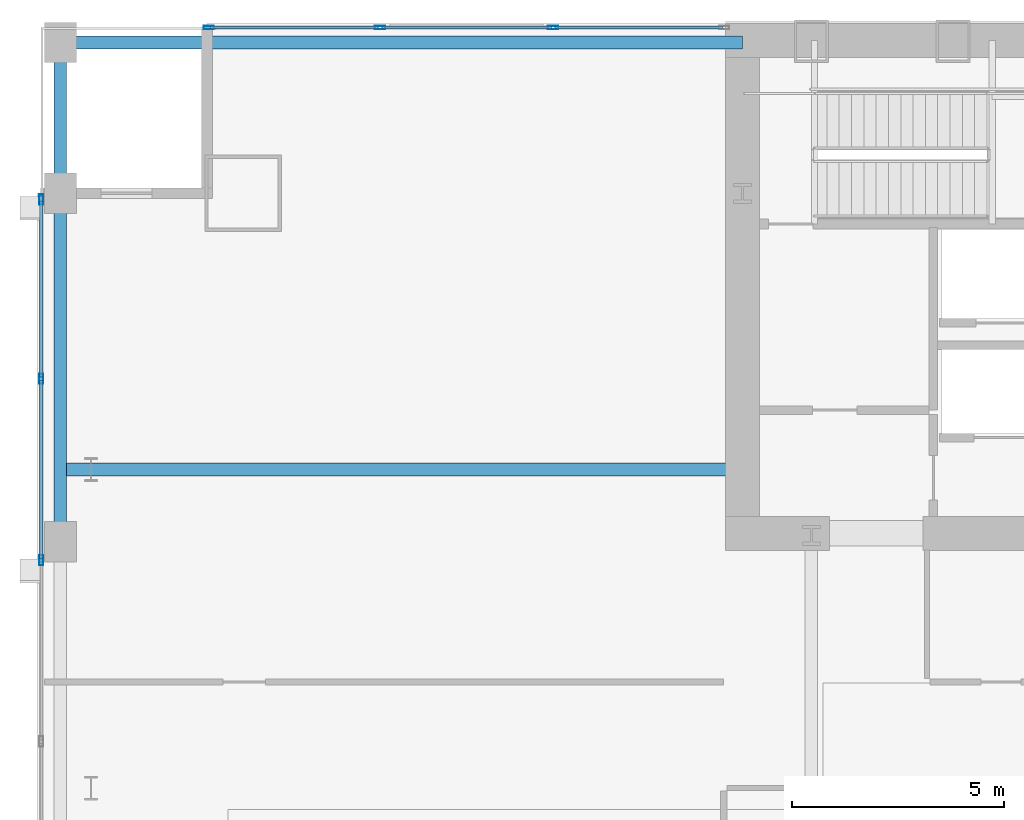
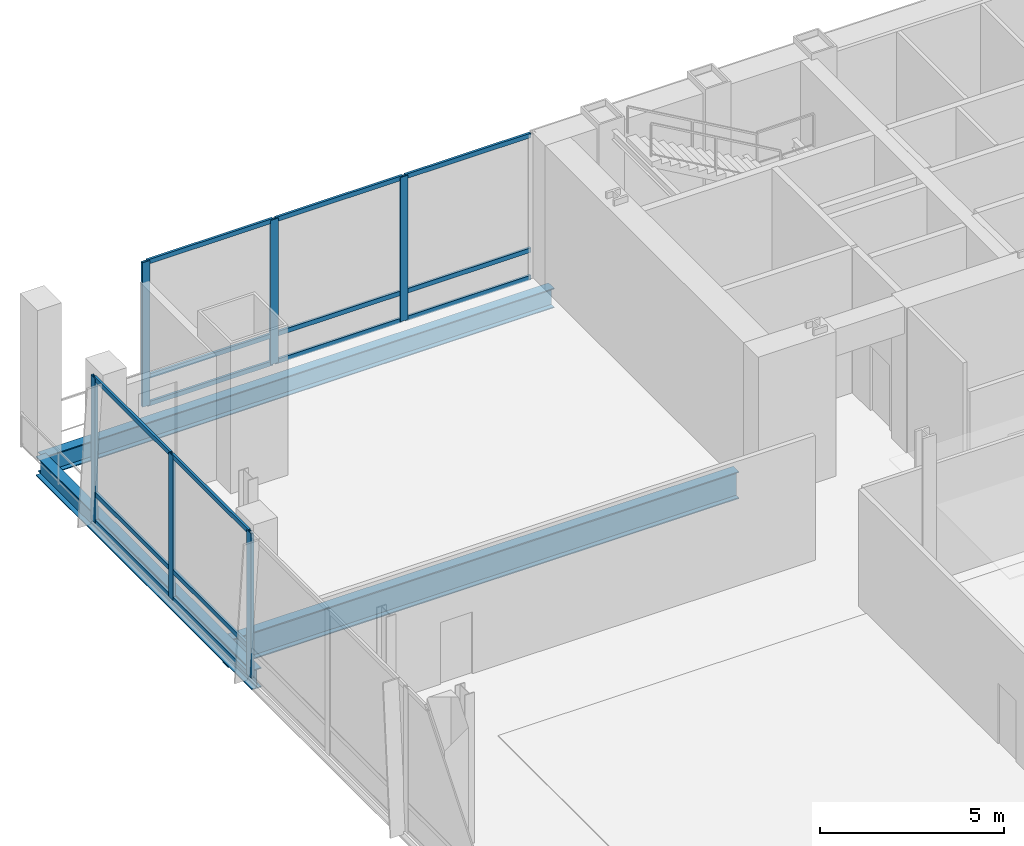
# One storey, part 10 of 25: 21 members, 3 beams, 2 elements without a shape of their own.
"""IFC4 building model written with IfcOpenShell, lengths in metres."""

from ifc_helpers import new_model, si_unit, direction, frame, origin, origin_2d, place, context, subcontext, project, spatial, hollow_rectangle, i_section, extrude, material, material_profile, profile_set, type_object, element, aggregate, save


model = new_model("IFC4")

# Units and contexts
model_context = context("Model", 3, precision=1e-05, world=origin(), true_north=direction((0.0, 1.0)))
body_context = subcontext(model_context, "Body", "Model", "MODEL_VIEW")
ifc_project = project(units=[si_unit("LENGTHUNIT", "METRE"), si_unit("AREAUNIT", "SQUARE_METRE"), si_unit("VOLUMEUNIT", "CUBIC_METRE"), si_unit("PLANEANGLEUNIT", "RADIAN"), si_unit("MASSUNIT", "GRAM", prefix="KILO")], contexts=[model_context])

# Site, building, storey
site_placement = place(None, origin())
site = spatial("IfcSite", under=ifc_project, at=site_placement, CompositionType="ELEMENT")
building_placement = place(site_placement, origin())
building = spatial("IfcBuilding", under=site, at=building_placement, Name="Khoronbel Lancet Exchange", CompositionType="ELEMENT")
storey_placement = place(building_placement, frame((0.0, 0.0, 10.39990234375)))
storey = spatial("IfcBuildingStorey", under=building, at=storey_placement, Name="L02", CompositionType="ELEMENT", Elevation=10.39990234375)

# Beams
ifc_material_1 = material(Name="Steel S355", Category="steel")
ifc_material_profile_1 = material_profile(ifc_material_1, i_section(OverallWidth=0.300048828125, OverallDepth=0.89990234375, WebThickness=0.0185546875, FlangeThickness=0.034912109375, at=origin_2d()), Name="HEB 900")
ifc_profile_set_1 = profile_set([ifc_material_profile_1], Name="Steel S355")
beam_type_1 = type_object("IfcBeamType", Name="BM-BG1", PredefinedType="BEAM", material=ifc_profile_set_1)
beam_1_placement = place(storey_placement, frame((0.550048828125, 43.199951171875, -0.64990234375), z_axis=(1.0, 0.0, 0.0), x_axis=(0.0, 1.0, 0.0)))
element("IfcBeam", 1, at=beam_1_placement, inside=storey, type_object=beam_type_1, Name="Level L02 west lens tie girder LG3W", PredefinedType="BEAM", context=body_context, shape_type="SweptSolid", body=[
    extrude(i_section(OverallWidth=0.300048828125, OverallDepth=0.89990234375, WebThickness=0.0185546875, FlangeThickness=0.034912109375, at=origin_2d()), origin(), (0.0, 0.0, 1.0), 16.050048828125),
])
ifc_material_profile_2 = material_profile(ifc_material_1, i_section(OverallWidth=0.300048828125, OverallDepth=0.64990234375, WebThickness=0.01611328125, FlangeThickness=0.031005859375, at=origin_2d()), Name="HEB 650")
ifc_profile_set_2 = profile_set([ifc_material_profile_2], Name="Steel S355")
beam_type_2 = type_object("IfcBeamType", Name="BM-BSP1", PredefinedType="SPANDREL", material=ifc_profile_set_2)
beam_2_placement = place(storey_placement, frame((16.60009765625, 53.25, -0.52490234375), z_axis=(-1.0, 0.0, 0.0), x_axis=(0.0, -1.0, 0.0)))
element("IfcBeam", 2, at=beam_2_placement, inside=storey, type_object=beam_type_2, Name="Level L02 perimeter spandrel beam SP14", PredefinedType="SPANDREL", context=body_context, shape_type="SweptSolid", body=[
    extrude(i_section(OverallWidth=0.300048828125, OverallDepth=0.64990234375, WebThickness=0.01611328125, FlangeThickness=0.031005859375, at=origin_2d()), origin(), (0.0, 0.0, 1.0), 16.050048828125),
])
beam_3_placement = place(storey_placement, frame((0.550048828125, 53.25, -0.52490234375), z_axis=(0.0, -1.0, 0.0), x_axis=(1.0, 0.0, 0.0)))
element("IfcBeam", 3, at=beam_3_placement, inside=storey, type_object=beam_type_2, Name="Level L02 perimeter spandrel beam SP15", PredefinedType="SPANDREL", context=body_context, shape_type="SweptSolid", body=[
    extrude(i_section(OverallWidth=0.300048828125, OverallDepth=0.64990234375, WebThickness=0.01611328125, FlangeThickness=0.031005859375, at=origin_2d()), origin(), (0.0, 0.0, 1.0), 11.75),
])

# Curtain wall, members
ifc_material_2 = material(Name="Low-E Solar Control Insulating Glass", Category="glass")
curtain_wall_type = type_object("IfcCurtainWallType", Name="CW-5", PredefinedType="NOTDEFINED", material=ifc_material_2)
curtain_wall_1_placement = place(storey_placement, origin())
curtain_wall_1 = element("IfcCurtainWall", 4, at=curtain_wall_1_placement, inside=storey, type_object=curtain_wall_type, Name="Unitised curtain wall CW-L02-WEST", PredefinedType="NOTDEFINED")
ifc_material_3 = material(Name="Bronze-Anodised Aluminium 6063-T6", Category="aluminium")
ifc_material_profile_3 = material_profile(ifc_material_3, hollow_rectangle(XDim=0.0849609375, YDim=0.239990234375, WallThickness=0.006103515625, at=origin_2d()), Name="ALU MULLION 85x240")
ifc_profile_set_3 = profile_set([ifc_material_profile_3], Name="Bronze-Anodised Aluminium 6063-T6")
member_type_1 = type_object("IfcMemberType", Name="MEM-CWM1", PredefinedType="MULLION", material=ifc_profile_set_3)
member_1_placement = place(storey_placement, frame((0.10009765625, 49.5576171875, 0.0), z_axis=(0.0, 0.0, 1.0), x_axis=(1.0, 0.0, 0.0)))
member_1 = element("IfcMember", 5, at=member_1_placement, type_object=member_type_1, Name="CW5 mullion 1", PredefinedType="MULLION", context=body_context, shape_type="SweptSolid", body=[
    extrude(hollow_rectangle(XDim=0.0849609375, YDim=0.239990234375, WallThickness=0.006103515625, at=origin_2d()), origin(), (0.0, 0.0, 1.0), 4.800048828125),
])
member_2_placement = place(storey_placement, frame((0.10009765625, 45.333251953125, 0.0), z_axis=(0.0, 0.0, 1.0), x_axis=(1.0, 0.0, 0.0)))
member_2 = element("IfcMember", 6, at=member_2_placement, type_object=member_type_1, Name="CW5 mullion 2", PredefinedType="MULLION", context=body_context, shape_type="SweptSolid", body=[
    extrude(hollow_rectangle(XDim=0.0849609375, YDim=0.239990234375, WallThickness=0.006103515625, at=origin_2d()), origin(), (0.0, 0.0, 1.0), 4.800048828125),
])
member_3_placement = place(storey_placement, frame((0.10009765625, 41.066650390625, 0.0), z_axis=(0.0, 0.0, 1.0), x_axis=(1.0, 0.0, 0.0)))
member_3 = element("IfcMember", 7, at=member_3_placement, type_object=member_type_1, Name="CW5 mullion 3", PredefinedType="MULLION", context=body_context, shape_type="SweptSolid", body=[
    extrude(hollow_rectangle(XDim=0.0849609375, YDim=0.239990234375, WallThickness=0.006103515625, at=origin_2d()), origin(), (0.0, 0.0, 1.0), 4.800048828125),
])

curtain_wall_2_placement = place(storey_placement, origin())
curtain_wall_2 = element("IfcCurtainWall", 8, at=curtain_wall_2_placement, inside=storey, type_object=curtain_wall_type, Name="Unitised curtain wall CW-L02-NW", PredefinedType="NOTDEFINED")
member_4_placement = place(storey_placement, frame((4.04248046875, 53.60009765625, 0.0), z_axis=(0.0, 0.0, 1.0), x_axis=(0.0, 1.0, 0.0)))
member_4 = element("IfcMember", 9, at=member_4_placement, type_object=member_type_1, Name="CW5 mullion 1", PredefinedType="MULLION", context=body_context, shape_type="SweptSolid", body=[
    extrude(hollow_rectangle(XDim=0.0849609375, YDim=0.239990234375, WallThickness=0.006103515625, at=origin_2d()), origin(), (0.0, 0.0, 1.0), 4.800048828125),
])
member_5_placement = place(storey_placement, frame((8.0732421875, 53.60009765625, 0.0), z_axis=(0.0, 0.0, 1.0), x_axis=(0.0, 1.0, 0.0)))
member_5 = element("IfcMember", 10, at=member_5_placement, type_object=member_type_1, Name="CW5 mullion 2", PredefinedType="MULLION", context=body_context, shape_type="SweptSolid", body=[
    extrude(hollow_rectangle(XDim=0.0849609375, YDim=0.239990234375, WallThickness=0.006103515625, at=origin_2d()), origin(), (0.0, 0.0, 1.0), 4.800048828125),
])
member_6_placement = place(storey_placement, frame((12.146728515625, 53.60009765625, 0.0), z_axis=(0.0, 0.0, 1.0), x_axis=(0.0, 1.0, 0.0)))
member_6 = element("IfcMember", 11, at=member_6_placement, type_object=member_type_1, Name="CW5 mullion 3", PredefinedType="MULLION", context=body_context, shape_type="SweptSolid", body=[
    extrude(hollow_rectangle(XDim=0.0849609375, YDim=0.239990234375, WallThickness=0.006103515625, at=origin_2d()), origin(), (0.0, 0.0, 1.0), 4.800048828125),
])

# Member
ifc_material_profile_4 = material_profile(ifc_material_3, hollow_rectangle(XDim=0.074951171875, YDim=0.14990234375, WallThickness=0.00439453125, at=origin_2d()), Name="ALU TRANSOM 75x150")
ifc_profile_set_4 = profile_set([ifc_material_profile_4], Name="Bronze-Anodised Aluminium 6063-T6")
member_type_2 = type_object("IfcMemberType", Name="MEM-CWT2", PredefinedType="USERDEFINED", material=ifc_profile_set_4)
member_7_placement = place(storey_placement, frame((0.10009765625, 49.514892578125, 0.03759765625), z_axis=(0.0, -1.0, 0.0), x_axis=(1.0, 0.0, 0.0)))
member_7 = element("IfcMember", 12, at=member_7_placement, type_object=member_type_2, Name="CW5 transom 1.1", ObjectType="TRANSOM", PredefinedType="USERDEFINED", context=body_context, shape_type="SweptSolid", body=[
    extrude(hollow_rectangle(XDim=0.074951171875, YDim=0.14990234375, WallThickness=0.00439453125, at=origin_2d()), origin(), (0.0, 0.0, 1.0), 4.13916015625),
])

member_8_placement = place(storey_placement, frame((0.10009765625, 49.514892578125, 0.9501953125), z_axis=(0.0, -1.0, 0.0), x_axis=(1.0, 0.0, 0.0)))
member_8 = element("IfcMember", 13, at=member_8_placement, type_object=member_type_2, Name="CW5 transom 1.2", ObjectType="TRANSOM", PredefinedType="USERDEFINED", context=body_context, shape_type="SweptSolid", body=[
    extrude(hollow_rectangle(XDim=0.074951171875, YDim=0.14990234375, WallThickness=0.00439453125, at=origin_2d()), origin(), (0.0, 0.0, 1.0), 4.13916015625),
])

member_9_placement = place(storey_placement, frame((0.10009765625, 49.514892578125, 4.7626953125), z_axis=(0.0, -1.0, 0.0), x_axis=(1.0, 0.0, 0.0)))
member_9 = element("IfcMember", 14, at=member_9_placement, type_object=member_type_2, Name="CW5 transom 1.3", ObjectType="TRANSOM", PredefinedType="USERDEFINED", context=body_context, shape_type="SweptSolid", body=[
    extrude(hollow_rectangle(XDim=0.074951171875, YDim=0.14990234375, WallThickness=0.00439453125, at=origin_2d()), origin(), (0.0, 0.0, 1.0), 4.13916015625),
])

member_10_placement = place(storey_placement, frame((0.10009765625, 45.290771484375, 0.03759765625), z_axis=(0.0, -1.0, 0.0), x_axis=(1.0, 0.0, 0.0)))
member_10 = element("IfcMember", 15, at=member_10_placement, type_object=member_type_2, Name="CW5 transom 2.1", ObjectType="TRANSOM", PredefinedType="USERDEFINED", context=body_context, shape_type="SweptSolid", body=[
    extrude(hollow_rectangle(XDim=0.074951171875, YDim=0.14990234375, WallThickness=0.00439453125, at=origin_2d()), origin(), (0.0, 0.0, 1.0), 4.181640625),
])

member_11_placement = place(storey_placement, frame((0.10009765625, 45.290771484375, 0.9501953125), z_axis=(0.0, -1.0, 0.0), x_axis=(1.0, 0.0, 0.0)))
member_11 = element("IfcMember", 16, at=member_11_placement, type_object=member_type_2, Name="CW5 transom 2.2", ObjectType="TRANSOM", PredefinedType="USERDEFINED", context=body_context, shape_type="SweptSolid", body=[
    extrude(hollow_rectangle(XDim=0.074951171875, YDim=0.14990234375, WallThickness=0.00439453125, at=origin_2d()), origin(), (0.0, 0.0, 1.0), 4.181640625),
])

member_12_placement = place(storey_placement, frame((0.10009765625, 45.290771484375, 4.7626953125), z_axis=(0.0, -1.0, 0.0), x_axis=(1.0, 0.0, 0.0)))
member_12 = element("IfcMember", 17, at=member_12_placement, type_object=member_type_2, Name="CW5 transom 2.3", ObjectType="TRANSOM", PredefinedType="USERDEFINED", context=body_context, shape_type="SweptSolid", body=[
    extrude(hollow_rectangle(XDim=0.074951171875, YDim=0.14990234375, WallThickness=0.00439453125, at=origin_2d()), origin(), (0.0, 0.0, 1.0), 4.181640625),
])

aggregate(curtain_wall_1, [member_1, member_2, member_3, member_7, member_8, member_9, member_10, member_11, member_12])

member_13_placement = place(storey_placement, frame((4.0849609375, 53.60009765625, 0.03759765625), z_axis=(1.0, 0.0, 0.0), x_axis=(0.0, 1.0, 0.0)))
member_13 = element("IfcMember", 18, at=member_13_placement, type_object=member_type_2, Name="CW5 transom 1.1", ObjectType="TRANSOM", PredefinedType="USERDEFINED", context=body_context, shape_type="SweptSolid", body=[
    extrude(hollow_rectangle(XDim=0.074951171875, YDim=0.14990234375, WallThickness=0.00439453125, at=origin_2d()), origin(), (0.0, 0.0, 1.0), 3.94580078125),
])

member_14_placement = place(storey_placement, frame((4.0849609375, 53.60009765625, 0.9501953125), z_axis=(1.0, 0.0, 0.0), x_axis=(0.0, 1.0, 0.0)))
member_14 = element("IfcMember", 19, at=member_14_placement, type_object=member_type_2, Name="CW5 transom 1.2", ObjectType="TRANSOM", PredefinedType="USERDEFINED", context=body_context, shape_type="SweptSolid", body=[
    extrude(hollow_rectangle(XDim=0.074951171875, YDim=0.14990234375, WallThickness=0.00439453125, at=origin_2d()), origin(), (0.0, 0.0, 1.0), 3.94580078125),
])

member_15_placement = place(storey_placement, frame((4.0849609375, 53.60009765625, 4.7626953125), z_axis=(1.0, 0.0, 0.0), x_axis=(0.0, 1.0, 0.0)))
member_15 = element("IfcMember", 20, at=member_15_placement, type_object=member_type_2, Name="CW5 transom 1.3", ObjectType="TRANSOM", PredefinedType="USERDEFINED", context=body_context, shape_type="SweptSolid", body=[
    extrude(hollow_rectangle(XDim=0.074951171875, YDim=0.14990234375, WallThickness=0.00439453125, at=origin_2d()), origin(), (0.0, 0.0, 1.0), 3.94580078125),
])

member_16_placement = place(storey_placement, frame((8.11572265625, 53.60009765625, 0.03759765625), z_axis=(1.0, 0.0, 0.0), x_axis=(0.0, 1.0, 0.0)))
member_16 = element("IfcMember", 21, at=member_16_placement, type_object=member_type_2, Name="CW5 transom 2.1", ObjectType="TRANSOM", PredefinedType="USERDEFINED", context=body_context, shape_type="SweptSolid", body=[
    extrude(hollow_rectangle(XDim=0.074951171875, YDim=0.14990234375, WallThickness=0.00439453125, at=origin_2d()), origin(), (0.0, 0.0, 1.0), 3.988525390625),
])

member_17_placement = place(storey_placement, frame((8.11572265625, 53.60009765625, 0.9501953125), z_axis=(1.0, 0.0, 0.0), x_axis=(0.0, 1.0, 0.0)))
member_17 = element("IfcMember", 22, at=member_17_placement, type_object=member_type_2, Name="CW5 transom 2.2", ObjectType="TRANSOM", PredefinedType="USERDEFINED", context=body_context, shape_type="SweptSolid", body=[
    extrude(hollow_rectangle(XDim=0.074951171875, YDim=0.14990234375, WallThickness=0.00439453125, at=origin_2d()), origin(), (0.0, 0.0, 1.0), 3.988525390625),
])

member_18_placement = place(storey_placement, frame((8.11572265625, 53.60009765625, 4.7626953125), z_axis=(1.0, 0.0, 0.0), x_axis=(0.0, 1.0, 0.0)))
member_18 = element("IfcMember", 23, at=member_18_placement, type_object=member_type_2, Name="CW5 transom 2.3", ObjectType="TRANSOM", PredefinedType="USERDEFINED", context=body_context, shape_type="SweptSolid", body=[
    extrude(hollow_rectangle(XDim=0.074951171875, YDim=0.14990234375, WallThickness=0.00439453125, at=origin_2d()), origin(), (0.0, 0.0, 1.0), 3.988525390625),
])

member_19_placement = place(storey_placement, frame((12.189208984375, 53.60009765625, 0.03759765625), z_axis=(1.0, 0.0, 0.0), x_axis=(0.0, 1.0, 0.0)))
member_19 = element("IfcMember", 24, at=member_19_placement, type_object=member_type_2, Name="CW5 transom 3.1", ObjectType="TRANSOM", PredefinedType="USERDEFINED", context=body_context, shape_type="SweptSolid", body=[
    extrude(hollow_rectangle(XDim=0.074951171875, YDim=0.14990234375, WallThickness=0.00439453125, at=origin_2d()), origin(), (0.0, 0.0, 1.0), 3.94580078125),
])

member_20_placement = place(storey_placement, frame((12.189208984375, 53.60009765625, 0.9501953125), z_axis=(1.0, 0.0, 0.0), x_axis=(0.0, 1.0, 0.0)))
member_20 = element("IfcMember", 25, at=member_20_placement, type_object=member_type_2, Name="CW5 transom 3.2", ObjectType="TRANSOM", PredefinedType="USERDEFINED", context=body_context, shape_type="SweptSolid", body=[
    extrude(hollow_rectangle(XDim=0.074951171875, YDim=0.14990234375, WallThickness=0.00439453125, at=origin_2d()), origin(), (0.0, 0.0, 1.0), 3.94580078125),
])

member_21_placement = place(storey_placement, frame((12.189208984375, 53.60009765625, 4.7626953125), z_axis=(1.0, 0.0, 0.0), x_axis=(0.0, 1.0, 0.0)))
member_21 = element("IfcMember", 26, at=member_21_placement, type_object=member_type_2, Name="CW5 transom 3.3", ObjectType="TRANSOM", PredefinedType="USERDEFINED", context=body_context, shape_type="SweptSolid", body=[
    extrude(hollow_rectangle(XDim=0.074951171875, YDim=0.14990234375, WallThickness=0.00439453125, at=origin_2d()), origin(), (0.0, 0.0, 1.0), 3.94580078125),
])

aggregate(curtain_wall_2, [member_4, member_5, member_6, member_13, member_14, member_15, member_16, member_17, member_18, member_19, member_20, member_21])

save(model, "model.ifc")
